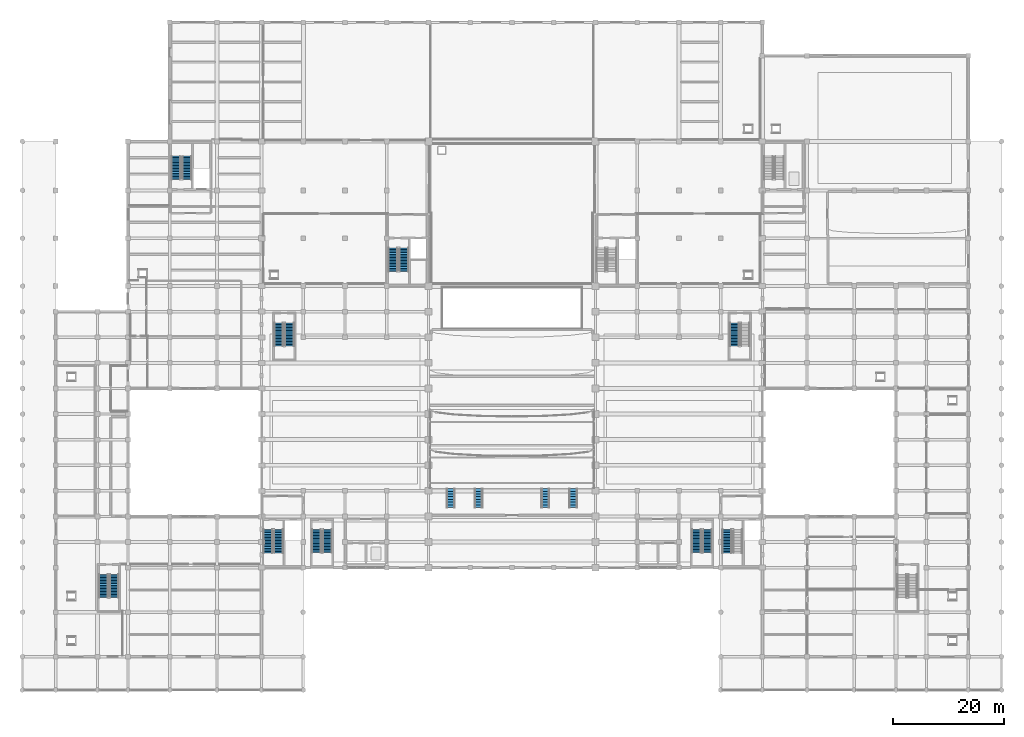
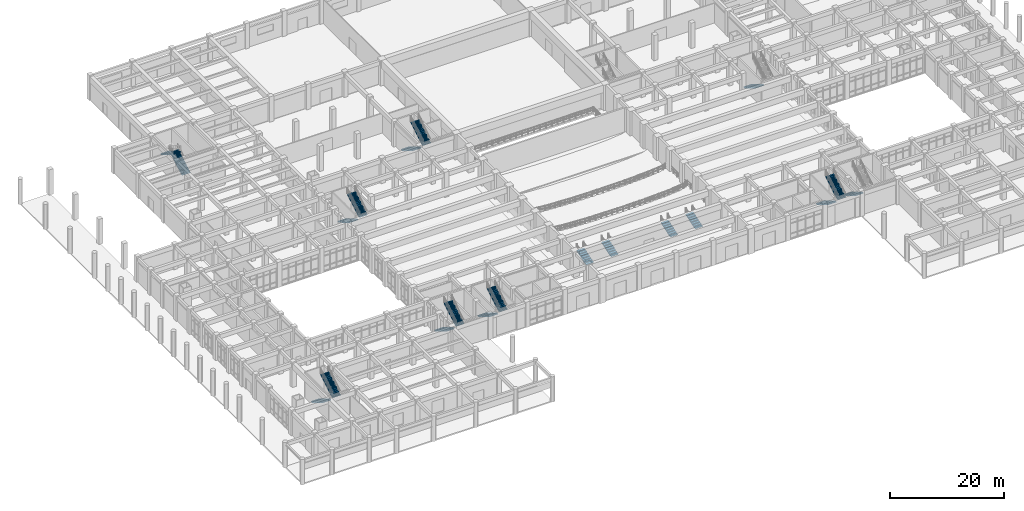
# One storey, part 71 of 84: 20 stair flights, 13 elements without a shape of their own.
"""IFC4 building model written with IfcOpenShell, lengths in metres."""

from ifc_helpers import new_model, si_unit, direction, frame, origin, place, context, subcontext, project, spatial, polyline, outline, extrude, material, type_object, element, aggregate, save


model = new_model("IFC4")

# Units and contexts
model_context = context("Model", 3, precision=1e-05, world=origin(), true_north=direction((0.0, 1.0)))
body_context = subcontext(model_context, "Body", "Model", "MODEL_VIEW")
ifc_project = project(units=[si_unit("LENGTHUNIT", "METRE"), si_unit("AREAUNIT", "SQUARE_METRE"), si_unit("VOLUMEUNIT", "CUBIC_METRE"), si_unit("PLANEANGLEUNIT", "RADIAN"), si_unit("MASSUNIT", "GRAM", prefix="KILO")], contexts=[model_context])

# Site, building, storey
site_placement = place(None, origin())
site = spatial("IfcSite", under=ifc_project, at=site_placement, CompositionType="ELEMENT")
building_placement = place(site_placement, origin())
building = spatial("IfcBuilding", under=site, at=building_placement, Name="Muzn Square Opera House", CompositionType="ELEMENT")
storey_placement = place(building_placement, origin())
storey = spatial("IfcBuildingStorey", under=building, at=storey_placement, Name="L00", CompositionType="ELEMENT", Elevation=0.0)

# Stair, stair flights
ifc_material = material(Name="Concrete C40/50", Category="concrete")
stair_type_1 = type_object("IfcStairType", Name="Core Escape Dogleg Stair", PredefinedType="HALF_TURN_STAIR", material=ifc_material)
stair_1_placement = place(storey_placement, origin())
stair_1 = element("IfcStair", 1, at=stair_1_placement, inside=storey, type_object=stair_type_1, Name="L00 Escape Stair ST-1", PredefinedType="HALF_TURN_STAIR")
stair_flight_type_1 = type_object("IfcStairFlightType", Name="Core Stair Flight 1660mm", PredefinedType="STRAIGHT", material=ifc_material)
stair_flight_1_placement = place(storey_placement, frame((66.6298828125, 79.43994140625, 0.0), z_axis=(0.0, 0.0, 1.0), x_axis=(0.0, -1.0, 0.0)))
stair_flight_1 = element("IfcStairFlight", 2, at=stair_flight_1_placement, type_object=stair_flight_type_1, Name="ST-1 flight 1", NumberOfRisers=16, NumberOfTreads=15, PredefinedType="STRAIGHT", RiserHeight=0.16875, TreadLength=0.28, context=body_context, shape_type="SweptSolid", body=[
    extrude(outline(polyline([(0.0, 0.0), (0.0, 0.168701171875), (0.280029296875, 0.168701171875), (0.280029296875, 0.33740234375), (0.56005859375, 0.33740234375), (0.56005859375, 0.50634765625), (0.840087890625, 0.50634765625), (0.840087890625, 0.675048828125), (1.1201171875, 0.675048828125), (1.1201171875, 0.84375), (1.39990234375, 0.84375), (1.39990234375, 1.012451171875), (1.679931640625, 1.012451171875), (1.679931640625, 1.18115234375), (1.9599609375, 1.18115234375), (1.9599609375, 1.35009765625), (2.239990234375, 1.35009765625), (2.239990234375, 1.518798828125), (2.52001953125, 1.518798828125), (2.52001953125, 1.6875), (2.800048828125, 1.6875), (2.800048828125, 1.856201171875), (3.080078125, 1.856201171875), (3.080078125, 2.02490234375), (3.360107421875, 2.02490234375), (3.360107421875, 2.19384765625), (3.639892578125, 2.19384765625), (3.639892578125, 2.362548828125), (3.919921875, 2.362548828125), (3.919921875, 2.53125), (4.199951171875, 2.53125), (4.199951171875, 2.699951171875), (4.199951171875, 2.3212890625), (0.3486328125, 0.0), (0.0, 0.0)])), frame((0.0, 0.830078125, 0.0), z_axis=(0.0, -1.0, 0.0), x_axis=(1.0, 0.0, 0.0)), (0.0, 0.0, 1.0), 1.659912109375),
])
stair_flight_2_placement = place(storey_placement, frame((68.570068359375, 75.239990234375, 2.699951171875), z_axis=(0.0, 0.0, 1.0), x_axis=(0.0, 1.0, 0.0)))
stair_flight_2 = element("IfcStairFlight", 3, at=stair_flight_2_placement, type_object=stair_flight_type_1, Name="ST-1 flight 2", NumberOfRisers=16, NumberOfTreads=15, PredefinedType="STRAIGHT", RiserHeight=0.16875, TreadLength=0.28, context=body_context, shape_type="SweptSolid", body=[
    extrude(outline(polyline([(0.0, 0.0), (0.0, 0.168701171875), (0.280029296875, 0.168701171875), (0.280029296875, 0.33740234375), (0.56005859375, 0.33740234375), (0.56005859375, 0.50634765625), (0.840087890625, 0.50634765625), (0.840087890625, 0.675048828125), (1.1201171875, 0.675048828125), (1.1201171875, 0.84375), (1.39990234375, 0.84375), (1.39990234375, 1.012451171875), (1.679931640625, 1.012451171875), (1.679931640625, 1.18115234375), (1.9599609375, 1.18115234375), (1.9599609375, 1.35009765625), (2.239990234375, 1.35009765625), (2.239990234375, 1.518798828125), (2.52001953125, 1.518798828125), (2.52001953125, 1.6875), (2.800048828125, 1.6875), (2.800048828125, 1.856201171875), (3.080078125, 1.856201171875), (3.080078125, 2.02490234375), (3.360107421875, 2.02490234375), (3.360107421875, 2.19384765625), (3.639892578125, 2.19384765625), (3.639892578125, 2.362548828125), (3.919921875, 2.362548828125), (3.919921875, 2.53125), (4.199951171875, 2.53125), (4.199951171875, 2.699951171875), (4.199951171875, 2.3212890625), (0.3486328125, 0.0), (0.0, 0.0)])), frame((0.0, 0.830078125, 0.0), z_axis=(0.0, -1.0, 0.0), x_axis=(1.0, 0.0, 0.0)), (0.0, 0.0, 1.0), 1.659912109375),
])
aggregate(stair_1, [stair_flight_1, stair_flight_2])

stair_2_placement = place(storey_placement, origin())
stair_2 = element("IfcStair", 4, at=stair_2_placement, inside=storey, type_object=stair_type_1, Name="L00 Escape Stair ST-3", PredefinedType="HALF_TURN_STAIR")
stair_flight_3_placement = place(storey_placement, frame((44.1298828125, 28.840087890625, 0.0), z_axis=(0.0, 0.0, 1.0), x_axis=(0.0, -1.0, 0.0)))
stair_flight_3 = element("IfcStairFlight", 5, at=stair_flight_3_placement, type_object=stair_flight_type_1, Name="ST-3 flight 1", NumberOfRisers=16, NumberOfTreads=15, PredefinedType="STRAIGHT", RiserHeight=0.16875, TreadLength=0.28, context=body_context, shape_type="SweptSolid", body=[
    extrude(outline(polyline([(0.0, 0.0), (0.0, 0.168701171875), (0.280029296875, 0.168701171875), (0.280029296875, 0.33740234375), (0.56005859375, 0.33740234375), (0.56005859375, 0.50634765625), (0.840087890625, 0.50634765625), (0.840087890625, 0.675048828125), (1.1201171875, 0.675048828125), (1.1201171875, 0.84375), (1.39990234375, 0.84375), (1.39990234375, 1.012451171875), (1.679931640625, 1.012451171875), (1.679931640625, 1.18115234375), (1.9599609375, 1.18115234375), (1.9599609375, 1.35009765625), (2.239990234375, 1.35009765625), (2.239990234375, 1.518798828125), (2.52001953125, 1.518798828125), (2.52001953125, 1.6875), (2.800048828125, 1.6875), (2.800048828125, 1.856201171875), (3.080078125, 1.856201171875), (3.080078125, 2.02490234375), (3.360107421875, 2.02490234375), (3.360107421875, 2.19384765625), (3.639892578125, 2.19384765625), (3.639892578125, 2.362548828125), (3.919921875, 2.362548828125), (3.919921875, 2.53125), (4.199951171875, 2.53125), (4.199951171875, 2.699951171875), (4.199951171875, 2.3212890625), (0.3486328125, 0.0), (0.0, 0.0)])), frame((0.0, 0.830078125, 0.0), z_axis=(0.0, -1.0, 0.0), x_axis=(1.0, 0.0, 0.0)), (0.0, 0.0, 1.0), 1.659912109375),
])
stair_flight_4_placement = place(storey_placement, frame((46.070068359375, 24.639892578125, 2.699951171875), z_axis=(0.0, 0.0, 1.0), x_axis=(0.0, 1.0, 0.0)))
stair_flight_4 = element("IfcStairFlight", 6, at=stair_flight_4_placement, type_object=stair_flight_type_1, Name="ST-3 flight 2", NumberOfRisers=16, NumberOfTreads=15, PredefinedType="STRAIGHT", RiserHeight=0.16875, TreadLength=0.28, context=body_context, shape_type="SweptSolid", body=[
    extrude(outline(polyline([(0.0, 0.0), (0.0, 0.168701171875), (0.280029296875, 0.168701171875), (0.280029296875, 0.33740234375), (0.56005859375, 0.33740234375), (0.56005859375, 0.50634765625), (0.840087890625, 0.50634765625), (0.840087890625, 0.675048828125), (1.1201171875, 0.675048828125), (1.1201171875, 0.84375), (1.39990234375, 0.84375), (1.39990234375, 1.012451171875), (1.679931640625, 1.012451171875), (1.679931640625, 1.18115234375), (1.9599609375, 1.18115234375), (1.9599609375, 1.35009765625), (2.239990234375, 1.35009765625), (2.239990234375, 1.518798828125), (2.52001953125, 1.518798828125), (2.52001953125, 1.6875), (2.800048828125, 1.6875), (2.800048828125, 1.856201171875), (3.080078125, 1.856201171875), (3.080078125, 2.02490234375), (3.360107421875, 2.02490234375), (3.360107421875, 2.19384765625), (3.639892578125, 2.19384765625), (3.639892578125, 2.362548828125), (3.919921875, 2.362548828125), (3.919921875, 2.53125), (4.199951171875, 2.53125), (4.199951171875, 2.699951171875), (4.199951171875, 2.3212890625), (0.3486328125, 0.0), (0.0, 0.0)])), frame((0.0, 0.830078125, 0.0), z_axis=(0.0, -1.0, 0.0), x_axis=(1.0, 0.0, 0.0)), (0.0, 0.0, 1.0), 1.659912109375),
])
aggregate(stair_2, [stair_flight_3, stair_flight_4])

# Stair, stair flight
stair_3_placement = place(storey_placement, origin())
stair_3 = element("IfcStair", 7, at=stair_3_placement, inside=storey, type_object=stair_type_1, Name="L00 Escape Stair ST-4", PredefinedType="HALF_TURN_STAIR")
stair_flight_5_placement = place(storey_placement, frame((126.6298828125, 28.840087890625, 0.0), z_axis=(0.0, 0.0, 1.0), x_axis=(0.0, -1.0, 0.0)))
stair_flight_5 = element("IfcStairFlight", 8, at=stair_flight_5_placement, type_object=stair_flight_type_1, Name="ST-4 flight 1", NumberOfRisers=16, NumberOfTreads=15, PredefinedType="STRAIGHT", RiserHeight=0.16875, TreadLength=0.28, context=body_context, shape_type="SweptSolid", body=[
    extrude(outline(polyline([(0.0, 0.0), (0.0, 0.168701171875), (0.280029296875, 0.168701171875), (0.280029296875, 0.33740234375), (0.56005859375, 0.33740234375), (0.56005859375, 0.50634765625), (0.840087890625, 0.50634765625), (0.840087890625, 0.675048828125), (1.1201171875, 0.675048828125), (1.1201171875, 0.84375), (1.39990234375, 0.84375), (1.39990234375, 1.012451171875), (1.679931640625, 1.012451171875), (1.679931640625, 1.18115234375), (1.9599609375, 1.18115234375), (1.9599609375, 1.35009765625), (2.239990234375, 1.35009765625), (2.239990234375, 1.518798828125), (2.52001953125, 1.518798828125), (2.52001953125, 1.6875), (2.800048828125, 1.6875), (2.800048828125, 1.856201171875), (3.080078125, 1.856201171875), (3.080078125, 2.02490234375), (3.360107421875, 2.02490234375), (3.360107421875, 2.19384765625), (3.639892578125, 2.19384765625), (3.639892578125, 2.362548828125), (3.919921875, 2.362548828125), (3.919921875, 2.53125), (4.199951171875, 2.53125), (4.199951171875, 2.699951171875), (4.199951171875, 2.3212890625), (0.3486328125, 0.0), (0.0, 0.0)])), frame((0.0, 0.830078125, 0.0), z_axis=(0.0, -1.0, 0.0), x_axis=(1.0, 0.0, 0.0)), (0.0, 0.0, 1.0), 1.659912109375),
])
aggregate(stair_3, [stair_flight_5])

# Stair, stair flights
stair_4_placement = place(storey_placement, origin())
stair_4 = element("IfcStair", 9, at=stair_4_placement, inside=storey, type_object=stair_type_1, Name="L00 Escape Stair ST-6", PredefinedType="HALF_TURN_STAIR")
stair_flight_6_placement = place(storey_placement, frame((29.570068359375, 91.760009765625, 0.0), z_axis=(0.0, 0.0, 1.0), x_axis=(0.0, 1.0, 0.0)))
stair_flight_6 = element("IfcStairFlight", 10, at=stair_flight_6_placement, type_object=stair_flight_type_1, Name="ST-6 flight 1", NumberOfRisers=16, NumberOfTreads=15, PredefinedType="STRAIGHT", RiserHeight=0.16875, TreadLength=0.28, context=body_context, shape_type="SweptSolid", body=[
    extrude(outline(polyline([(0.0, 0.0), (0.0, 0.168701171875), (0.280029296875, 0.168701171875), (0.280029296875, 0.33740234375), (0.56005859375, 0.33740234375), (0.56005859375, 0.50634765625), (0.840087890625, 0.50634765625), (0.840087890625, 0.675048828125), (1.1201171875, 0.675048828125), (1.1201171875, 0.84375), (1.39990234375, 0.84375), (1.39990234375, 1.012451171875), (1.679931640625, 1.012451171875), (1.679931640625, 1.18115234375), (1.9599609375, 1.18115234375), (1.9599609375, 1.35009765625), (2.239990234375, 1.35009765625), (2.239990234375, 1.518798828125), (2.52001953125, 1.518798828125), (2.52001953125, 1.6875), (2.800048828125, 1.6875), (2.800048828125, 1.856201171875), (3.080078125, 1.856201171875), (3.080078125, 2.02490234375), (3.360107421875, 2.02490234375), (3.360107421875, 2.19384765625), (3.639892578125, 2.19384765625), (3.639892578125, 2.362548828125), (3.919921875, 2.362548828125), (3.919921875, 2.53125), (4.199951171875, 2.53125), (4.199951171875, 2.699951171875), (4.199951171875, 2.3212890625), (0.3486328125, 0.0), (0.0, 0.0)])), frame((0.0, 0.830078125, 0.0), z_axis=(0.0, -1.0, 0.0), x_axis=(1.0, 0.0, 0.0)), (0.0, 0.0, 1.0), 1.659912109375),
])
stair_flight_7_placement = place(storey_placement, frame((27.6298828125, 95.9599609375, 2.699951171875), z_axis=(0.0, 0.0, 1.0), x_axis=(0.0, -1.0, 0.0)))
stair_flight_7 = element("IfcStairFlight", 11, at=stair_flight_7_placement, type_object=stair_flight_type_1, Name="ST-6 flight 2", NumberOfRisers=16, NumberOfTreads=15, PredefinedType="STRAIGHT", RiserHeight=0.16875, TreadLength=0.28, context=body_context, shape_type="SweptSolid", body=[
    extrude(outline(polyline([(0.0, 0.0), (0.0, 0.168701171875), (0.280029296875, 0.168701171875), (0.280029296875, 0.33740234375), (0.56005859375, 0.33740234375), (0.56005859375, 0.50634765625), (0.840087890625, 0.50634765625), (0.840087890625, 0.675048828125), (1.1201171875, 0.675048828125), (1.1201171875, 0.84375), (1.39990234375, 0.84375), (1.39990234375, 1.012451171875), (1.679931640625, 1.012451171875), (1.679931640625, 1.18115234375), (1.9599609375, 1.18115234375), (1.9599609375, 1.35009765625), (2.239990234375, 1.35009765625), (2.239990234375, 1.518798828125), (2.52001953125, 1.518798828125), (2.52001953125, 1.6875), (2.800048828125, 1.6875), (2.800048828125, 1.856201171875), (3.080078125, 1.856201171875), (3.080078125, 2.02490234375), (3.360107421875, 2.02490234375), (3.360107421875, 2.19384765625), (3.639892578125, 2.19384765625), (3.639892578125, 2.362548828125), (3.919921875, 2.362548828125), (3.919921875, 2.53125), (4.199951171875, 2.53125), (4.199951171875, 2.699951171875), (4.199951171875, 2.3212890625), (0.3486328125, 0.0), (0.0, 0.0)])), frame((0.0, 0.830078125, 0.0), z_axis=(0.0, -1.0, 0.0), x_axis=(1.0, 0.0, 0.0)), (0.0, 0.0, 1.0), 1.659912109375),
])
aggregate(stair_4, [stair_flight_6, stair_flight_7])

stair_5_placement = place(storey_placement, origin())
stair_5 = element("IfcStair", 12, at=stair_5_placement, inside=storey, type_object=stair_type_1, Name="L00 Escape Stair ST-7", PredefinedType="HALF_TURN_STAIR")
stair_flight_8_placement = place(storey_placement, frame((14.580078125, 20.7900390625, 0.0), z_axis=(0.0, 0.0, 1.0), x_axis=(0.0, -1.0, 0.0)))
stair_flight_8 = element("IfcStairFlight", 13, at=stair_flight_8_placement, type_object=stair_flight_type_1, Name="ST-7 flight 1", NumberOfRisers=16, NumberOfTreads=15, PredefinedType="STRAIGHT", RiserHeight=0.16875, TreadLength=0.28, context=body_context, shape_type="SweptSolid", body=[
    extrude(outline(polyline([(0.0, 0.0), (0.0, 0.168701171875), (0.280029296875, 0.168701171875), (0.280029296875, 0.33740234375), (0.56005859375, 0.33740234375), (0.56005859375, 0.50634765625), (0.840087890625, 0.50634765625), (0.840087890625, 0.675048828125), (1.1201171875, 0.675048828125), (1.1201171875, 0.84375), (1.39990234375, 0.84375), (1.39990234375, 1.012451171875), (1.679931640625, 1.012451171875), (1.679931640625, 1.18115234375), (1.9599609375, 1.18115234375), (1.9599609375, 1.35009765625), (2.239990234375, 1.35009765625), (2.239990234375, 1.518798828125), (2.52001953125, 1.518798828125), (2.52001953125, 1.6875), (2.800048828125, 1.6875), (2.800048828125, 1.856201171875), (3.080078125, 1.856201171875), (3.080078125, 2.02490234375), (3.360107421875, 2.02490234375), (3.360107421875, 2.19384765625), (3.639892578125, 2.19384765625), (3.639892578125, 2.362548828125), (3.919921875, 2.362548828125), (3.919921875, 2.53125), (4.199951171875, 2.53125), (4.199951171875, 2.699951171875), (4.199951171875, 2.3212890625), (0.3486328125, 0.0), (0.0, 0.0)])), frame((0.0, 0.830078125, 0.0), z_axis=(0.0, -1.0, 0.0), x_axis=(1.0, 0.0, 0.0)), (0.0, 0.0, 1.0), 1.659912109375),
])
stair_flight_9_placement = place(storey_placement, frame((16.52001953125, 16.590087890625, 2.699951171875), z_axis=(0.0, 0.0, 1.0), x_axis=(0.0, 1.0, 0.0)))
stair_flight_9 = element("IfcStairFlight", 14, at=stair_flight_9_placement, type_object=stair_flight_type_1, Name="ST-7 flight 2", NumberOfRisers=16, NumberOfTreads=15, PredefinedType="STRAIGHT", RiserHeight=0.16875, TreadLength=0.28, context=body_context, shape_type="SweptSolid", body=[
    extrude(outline(polyline([(0.0, 0.0), (0.0, 0.168701171875), (0.280029296875, 0.168701171875), (0.280029296875, 0.33740234375), (0.56005859375, 0.33740234375), (0.56005859375, 0.50634765625), (0.840087890625, 0.50634765625), (0.840087890625, 0.675048828125), (1.1201171875, 0.675048828125), (1.1201171875, 0.84375), (1.39990234375, 0.84375), (1.39990234375, 1.012451171875), (1.679931640625, 1.012451171875), (1.679931640625, 1.18115234375), (1.9599609375, 1.18115234375), (1.9599609375, 1.35009765625), (2.239990234375, 1.35009765625), (2.239990234375, 1.518798828125), (2.52001953125, 1.518798828125), (2.52001953125, 1.6875), (2.800048828125, 1.6875), (2.800048828125, 1.856201171875), (3.080078125, 1.856201171875), (3.080078125, 2.02490234375), (3.360107421875, 2.02490234375), (3.360107421875, 2.19384765625), (3.639892578125, 2.19384765625), (3.639892578125, 2.362548828125), (3.919921875, 2.362548828125), (3.919921875, 2.53125), (4.199951171875, 2.53125), (4.199951171875, 2.699951171875), (4.199951171875, 2.3212890625), (0.3486328125, 0.0), (0.0, 0.0)])), frame((0.0, 0.830078125, 0.0), z_axis=(0.0, -1.0, 0.0), x_axis=(1.0, 0.0, 0.0)), (0.0, 0.0, 1.0), 1.659912109375),
])
aggregate(stair_5, [stair_flight_8, stair_flight_9])

stair_6_placement = place(storey_placement, origin())
stair_6 = element("IfcStair", 15, at=stair_6_placement, inside=storey, type_object=stair_type_1, Name="L00 Escape Stair ST-9", PredefinedType="HALF_TURN_STAIR")
stair_flight_10_placement = place(storey_placement, frame((46.080078125, 65.989990234375, 0.0), z_axis=(0.0, 0.0, 1.0), x_axis=(0.0, -1.0, 0.0)))
stair_flight_10 = element("IfcStairFlight", 16, at=stair_flight_10_placement, type_object=stair_flight_type_1, Name="ST-9 flight 1", NumberOfRisers=16, NumberOfTreads=15, PredefinedType="STRAIGHT", RiserHeight=0.16875, TreadLength=0.28, context=body_context, shape_type="SweptSolid", body=[
    extrude(outline(polyline([(0.0, 0.0), (0.0, 0.168701171875), (0.280029296875, 0.168701171875), (0.280029296875, 0.33740234375), (0.56005859375, 0.33740234375), (0.56005859375, 0.50634765625), (0.840087890625, 0.50634765625), (0.840087890625, 0.675048828125), (1.1201171875, 0.675048828125), (1.1201171875, 0.84375), (1.39990234375, 0.84375), (1.39990234375, 1.012451171875), (1.679931640625, 1.012451171875), (1.679931640625, 1.18115234375), (1.9599609375, 1.18115234375), (1.9599609375, 1.35009765625), (2.239990234375, 1.35009765625), (2.239990234375, 1.518798828125), (2.52001953125, 1.518798828125), (2.52001953125, 1.6875), (2.800048828125, 1.6875), (2.800048828125, 1.856201171875), (3.080078125, 1.856201171875), (3.080078125, 2.02490234375), (3.360107421875, 2.02490234375), (3.360107421875, 2.19384765625), (3.639892578125, 2.19384765625), (3.639892578125, 2.362548828125), (3.919921875, 2.362548828125), (3.919921875, 2.53125), (4.199951171875, 2.53125), (4.199951171875, 2.699951171875), (4.199951171875, 2.3212890625), (0.3486328125, 0.0), (0.0, 0.0)])), frame((0.0, 0.830078125, 0.0), z_axis=(0.0, -1.0, 0.0), x_axis=(1.0, 0.0, 0.0)), (0.0, 0.0, 1.0), 1.659912109375),
])
stair_flight_11_placement = place(storey_placement, frame((48.02001953125, 61.7900390625, 2.699951171875), z_axis=(0.0, 0.0, 1.0), x_axis=(0.0, 1.0, 0.0)))
stair_flight_11 = element("IfcStairFlight", 17, at=stair_flight_11_placement, type_object=stair_flight_type_1, Name="ST-9 flight 2", NumberOfRisers=16, NumberOfTreads=15, PredefinedType="STRAIGHT", RiserHeight=0.16875, TreadLength=0.28, context=body_context, shape_type="SweptSolid", body=[
    extrude(outline(polyline([(0.0, 0.0), (0.0, 0.168701171875), (0.280029296875, 0.168701171875), (0.280029296875, 0.33740234375), (0.56005859375, 0.33740234375), (0.56005859375, 0.50634765625), (0.840087890625, 0.50634765625), (0.840087890625, 0.675048828125), (1.1201171875, 0.675048828125), (1.1201171875, 0.84375), (1.39990234375, 0.84375), (1.39990234375, 1.012451171875), (1.679931640625, 1.012451171875), (1.679931640625, 1.18115234375), (1.9599609375, 1.18115234375), (1.9599609375, 1.35009765625), (2.239990234375, 1.35009765625), (2.239990234375, 1.518798828125), (2.52001953125, 1.518798828125), (2.52001953125, 1.6875), (2.800048828125, 1.6875), (2.800048828125, 1.856201171875), (3.080078125, 1.856201171875), (3.080078125, 2.02490234375), (3.360107421875, 2.02490234375), (3.360107421875, 2.19384765625), (3.639892578125, 2.19384765625), (3.639892578125, 2.362548828125), (3.919921875, 2.362548828125), (3.919921875, 2.53125), (4.199951171875, 2.53125), (4.199951171875, 2.699951171875), (4.199951171875, 2.3212890625), (0.3486328125, 0.0), (0.0, 0.0)])), frame((0.0, 0.830078125, 0.0), z_axis=(0.0, -1.0, 0.0), x_axis=(1.0, 0.0, 0.0)), (0.0, 0.0, 1.0), 1.659912109375),
])
aggregate(stair_6, [stair_flight_10, stair_flight_11])

# Stair, stair flight
stair_7_placement = place(storey_placement, origin())
stair_7 = element("IfcStair", 18, at=stair_7_placement, inside=storey, type_object=stair_type_1, Name="L00 Escape Stair ST-10", PredefinedType="HALF_TURN_STAIR")
stair_flight_12_placement = place(storey_placement, frame((127.97998046875, 65.989990234375, 0.0), z_axis=(0.0, 0.0, 1.0), x_axis=(0.0, -1.0, 0.0)))
stair_flight_12 = element("IfcStairFlight", 19, at=stair_flight_12_placement, type_object=stair_flight_type_1, Name="ST-10 flight 1", NumberOfRisers=16, NumberOfTreads=15, PredefinedType="STRAIGHT", RiserHeight=0.16875, TreadLength=0.28, context=body_context, shape_type="SweptSolid", body=[
    extrude(outline(polyline([(0.0, 0.0), (0.0, 0.168701171875), (0.280029296875, 0.168701171875), (0.280029296875, 0.33740234375), (0.56005859375, 0.33740234375), (0.56005859375, 0.50634765625), (0.840087890625, 0.50634765625), (0.840087890625, 0.675048828125), (1.1201171875, 0.675048828125), (1.1201171875, 0.84375), (1.39990234375, 0.84375), (1.39990234375, 1.012451171875), (1.679931640625, 1.012451171875), (1.679931640625, 1.18115234375), (1.9599609375, 1.18115234375), (1.9599609375, 1.35009765625), (2.239990234375, 1.35009765625), (2.239990234375, 1.518798828125), (2.52001953125, 1.518798828125), (2.52001953125, 1.6875), (2.800048828125, 1.6875), (2.800048828125, 1.856201171875), (3.080078125, 1.856201171875), (3.080078125, 2.02490234375), (3.360107421875, 2.02490234375), (3.360107421875, 2.19384765625), (3.639892578125, 2.19384765625), (3.639892578125, 2.362548828125), (3.919921875, 2.362548828125), (3.919921875, 2.53125), (4.199951171875, 2.53125), (4.199951171875, 2.699951171875), (4.199951171875, 2.3212890625), (0.3486328125, 0.0), (0.0, 0.0)])), frame((0.0, 0.830078125, 0.0), z_axis=(0.0, -1.0, 0.0), x_axis=(1.0, 0.0, 0.0)), (0.0, 0.0, 1.0), 1.659912109375),
])
aggregate(stair_7, [stair_flight_12])

# Stair, stair flights
stair_8_placement = place(storey_placement, origin())
stair_8 = element("IfcStair", 20, at=stair_8_placement, inside=storey, type_object=stair_type_1, Name="L00 Escape Stair ST-11", PredefinedType="HALF_TURN_STAIR")
stair_flight_13_placement = place(storey_placement, frame((52.8798828125, 28.889892578125, 0.0), z_axis=(0.0, 0.0, 1.0), x_axis=(0.0, -1.0, 0.0)))
stair_flight_13 = element("IfcStairFlight", 21, at=stair_flight_13_placement, type_object=stair_flight_type_1, Name="ST-11 flight 1", NumberOfRisers=16, NumberOfTreads=15, PredefinedType="STRAIGHT", RiserHeight=0.16875, TreadLength=0.28, context=body_context, shape_type="SweptSolid", body=[
    extrude(outline(polyline([(0.0, 0.0), (0.0, 0.168701171875), (0.280029296875, 0.168701171875), (0.280029296875, 0.33740234375), (0.56005859375, 0.33740234375), (0.56005859375, 0.50634765625), (0.840087890625, 0.50634765625), (0.840087890625, 0.675048828125), (1.1201171875, 0.675048828125), (1.1201171875, 0.84375), (1.39990234375, 0.84375), (1.39990234375, 1.012451171875), (1.679931640625, 1.012451171875), (1.679931640625, 1.18115234375), (1.9599609375, 1.18115234375), (1.9599609375, 1.35009765625), (2.239990234375, 1.35009765625), (2.239990234375, 1.518798828125), (2.52001953125, 1.518798828125), (2.52001953125, 1.6875), (2.800048828125, 1.6875), (2.800048828125, 1.856201171875), (3.080078125, 1.856201171875), (3.080078125, 2.02490234375), (3.360107421875, 2.02490234375), (3.360107421875, 2.19384765625), (3.639892578125, 2.19384765625), (3.639892578125, 2.362548828125), (3.919921875, 2.362548828125), (3.919921875, 2.53125), (4.199951171875, 2.53125), (4.199951171875, 2.699951171875), (4.199951171875, 2.3212890625), (0.3486328125, 0.0), (0.0, 0.0)])), frame((0.0, 0.830078125, 0.0), z_axis=(0.0, -1.0, 0.0), x_axis=(1.0, 0.0, 0.0)), (0.0, 0.0, 1.0), 1.659912109375),
])
stair_flight_14_placement = place(storey_placement, frame((54.820068359375, 24.68994140625, 2.699951171875), z_axis=(0.0, 0.0, 1.0), x_axis=(0.0, 1.0, 0.0)))
stair_flight_14 = element("IfcStairFlight", 22, at=stair_flight_14_placement, type_object=stair_flight_type_1, Name="ST-11 flight 2", NumberOfRisers=16, NumberOfTreads=15, PredefinedType="STRAIGHT", RiserHeight=0.16875, TreadLength=0.28, context=body_context, shape_type="SweptSolid", body=[
    extrude(outline(polyline([(0.0, 0.0), (0.0, 0.168701171875), (0.280029296875, 0.168701171875), (0.280029296875, 0.33740234375), (0.56005859375, 0.33740234375), (0.56005859375, 0.50634765625), (0.840087890625, 0.50634765625), (0.840087890625, 0.675048828125), (1.1201171875, 0.675048828125), (1.1201171875, 0.84375), (1.39990234375, 0.84375), (1.39990234375, 1.012451171875), (1.679931640625, 1.012451171875), (1.679931640625, 1.18115234375), (1.9599609375, 1.18115234375), (1.9599609375, 1.35009765625), (2.239990234375, 1.35009765625), (2.239990234375, 1.518798828125), (2.52001953125, 1.518798828125), (2.52001953125, 1.6875), (2.800048828125, 1.6875), (2.800048828125, 1.856201171875), (3.080078125, 1.856201171875), (3.080078125, 2.02490234375), (3.360107421875, 2.02490234375), (3.360107421875, 2.19384765625), (3.639892578125, 2.19384765625), (3.639892578125, 2.362548828125), (3.919921875, 2.362548828125), (3.919921875, 2.53125), (4.199951171875, 2.53125), (4.199951171875, 2.699951171875), (4.199951171875, 2.3212890625), (0.3486328125, 0.0), (0.0, 0.0)])), frame((0.0, 0.830078125, 0.0), z_axis=(0.0, -1.0, 0.0), x_axis=(1.0, 0.0, 0.0)), (0.0, 0.0, 1.0), 1.659912109375),
])
aggregate(stair_8, [stair_flight_13, stair_flight_14])

stair_9_placement = place(storey_placement, origin())
stair_9 = element("IfcStair", 23, at=stair_9_placement, inside=storey, type_object=stair_type_1, Name="L00 Escape Stair ST-12", PredefinedType="HALF_TURN_STAIR")
stair_flight_15_placement = place(storey_placement, frame((121.179931640625, 28.889892578125, 0.0), z_axis=(0.0, 0.0, 1.0), x_axis=(0.0, -1.0, 0.0)))
stair_flight_15 = element("IfcStairFlight", 24, at=stair_flight_15_placement, type_object=stair_flight_type_1, Name="ST-12 flight 1", NumberOfRisers=16, NumberOfTreads=15, PredefinedType="STRAIGHT", RiserHeight=0.16875, TreadLength=0.28, context=body_context, shape_type="SweptSolid", body=[
    extrude(outline(polyline([(0.0, 0.0), (0.0, 0.168701171875), (0.280029296875, 0.168701171875), (0.280029296875, 0.33740234375), (0.56005859375, 0.33740234375), (0.56005859375, 0.50634765625), (0.840087890625, 0.50634765625), (0.840087890625, 0.675048828125), (1.1201171875, 0.675048828125), (1.1201171875, 0.84375), (1.39990234375, 0.84375), (1.39990234375, 1.012451171875), (1.679931640625, 1.012451171875), (1.679931640625, 1.18115234375), (1.9599609375, 1.18115234375), (1.9599609375, 1.35009765625), (2.239990234375, 1.35009765625), (2.239990234375, 1.518798828125), (2.52001953125, 1.518798828125), (2.52001953125, 1.6875), (2.800048828125, 1.6875), (2.800048828125, 1.856201171875), (3.080078125, 1.856201171875), (3.080078125, 2.02490234375), (3.360107421875, 2.02490234375), (3.360107421875, 2.19384765625), (3.639892578125, 2.19384765625), (3.639892578125, 2.362548828125), (3.919921875, 2.362548828125), (3.919921875, 2.53125), (4.199951171875, 2.53125), (4.199951171875, 2.699951171875), (4.199951171875, 2.3212890625), (0.3486328125, 0.0), (0.0, 0.0)])), frame((0.0, 0.830078125, 0.0), z_axis=(0.0, -1.0, 0.0), x_axis=(1.0, 0.0, 0.0)), (0.0, 0.0, 1.0), 1.659912109375),
])
stair_flight_16_placement = place(storey_placement, frame((123.1201171875, 24.68994140625, 2.699951171875), z_axis=(0.0, 0.0, 1.0), x_axis=(0.0, 1.0, 0.0)))
stair_flight_16 = element("IfcStairFlight", 25, at=stair_flight_16_placement, type_object=stair_flight_type_1, Name="ST-12 flight 2", NumberOfRisers=16, NumberOfTreads=15, PredefinedType="STRAIGHT", RiserHeight=0.16875, TreadLength=0.28, context=body_context, shape_type="SweptSolid", body=[
    extrude(outline(polyline([(0.0, 0.0), (0.0, 0.168701171875), (0.280029296875, 0.168701171875), (0.280029296875, 0.33740234375), (0.56005859375, 0.33740234375), (0.56005859375, 0.50634765625), (0.840087890625, 0.50634765625), (0.840087890625, 0.675048828125), (1.1201171875, 0.675048828125), (1.1201171875, 0.84375), (1.39990234375, 0.84375), (1.39990234375, 1.012451171875), (1.679931640625, 1.012451171875), (1.679931640625, 1.18115234375), (1.9599609375, 1.18115234375), (1.9599609375, 1.35009765625), (2.239990234375, 1.35009765625), (2.239990234375, 1.518798828125), (2.52001953125, 1.518798828125), (2.52001953125, 1.6875), (2.800048828125, 1.6875), (2.800048828125, 1.856201171875), (3.080078125, 1.856201171875), (3.080078125, 2.02490234375), (3.360107421875, 2.02490234375), (3.360107421875, 2.19384765625), (3.639892578125, 2.19384765625), (3.639892578125, 2.362548828125), (3.919921875, 2.362548828125), (3.919921875, 2.53125), (4.199951171875, 2.53125), (4.199951171875, 2.699951171875), (4.199951171875, 2.3212890625), (0.3486328125, 0.0), (0.0, 0.0)])), frame((0.0, 0.830078125, 0.0), z_axis=(0.0, -1.0, 0.0), x_axis=(1.0, 0.0, 0.0)), (0.0, 0.0, 1.0), 1.659912109375),
])
aggregate(stair_9, [stair_flight_15, stair_flight_16])

# Stair, stair flight
stair_type_2 = type_object("IfcStairType", Name="Auditorium Vomitory Stair", PredefinedType="STRAIGHT_RUN_STAIR", material=ifc_material)
stair_10_placement = place(storey_placement, origin())
stair_10 = element("IfcStair", 26, at=stair_10_placement, inside=storey, type_object=stair_type_2, Name="Vomitory Stair VS-01", PredefinedType="STRAIGHT_RUN_STAIR")
stair_flight_type_2 = type_object("IfcStairFlightType", Name="Vomitory Stair Flight 1500mm", PredefinedType="STRAIGHT", material=ifc_material)
stair_flight_17_placement = place(storey_placement, frame((77.0, 32.800048828125, 0.0), z_axis=(0.0, 0.0, 1.0), x_axis=(0.0, 1.0, 0.0)))
stair_flight_17 = element("IfcStairFlight", 27, at=stair_flight_17_placement, type_object=stair_flight_type_2, Name="VS-01 flight 1", NumberOfRisers=8, NumberOfTreads=7, PredefinedType="STRAIGHT", RiserHeight=0.1625, TreadLength=0.485714, context=body_context, shape_type="SweptSolid", body=[
    extrude(outline(polyline([(0.0, 0.0), (0.0, 0.16259765625), (0.485595703125, 0.16259765625), (0.485595703125, 0.324951171875), (0.971435546875, 0.324951171875), (0.971435546875, 0.487548828125), (1.45703125, 0.487548828125), (1.45703125, 0.64990234375), (1.94287109375, 0.64990234375), (1.94287109375, 0.8125), (2.428466796875, 0.8125), (2.428466796875, 0.97509765625), (2.914306640625, 0.97509765625), (2.914306640625, 1.137451171875), (3.39990234375, 1.137451171875), (3.39990234375, 1.300048828125), (3.39990234375, 0.968994140625), (0.50390625, 0.0), (0.0, 0.0)])), frame((0.0, 0.75, 0.0), z_axis=(0.0, -1.0, 0.0), x_axis=(1.0, 0.0, 0.0)), (0.0, 0.0, 1.0), 1.5),
])
aggregate(stair_10, [stair_flight_17])

stair_11_placement = place(storey_placement, origin())
stair_11 = element("IfcStair", 28, at=stair_11_placement, inside=storey, type_object=stair_type_2, Name="Vomitory Stair VS-02", PredefinedType="STRAIGHT_RUN_STAIR")
stair_flight_18_placement = place(storey_placement, frame((82.0, 32.800048828125, 0.0), z_axis=(0.0, 0.0, 1.0), x_axis=(0.0, 1.0, 0.0)))
stair_flight_18 = element("IfcStairFlight", 29, at=stair_flight_18_placement, type_object=stair_flight_type_2, Name="VS-02 flight 1", NumberOfRisers=8, NumberOfTreads=7, PredefinedType="STRAIGHT", RiserHeight=0.1625, TreadLength=0.485714, context=body_context, shape_type="SweptSolid", body=[
    extrude(outline(polyline([(0.0, 0.0), (0.0, 0.16259765625), (0.485595703125, 0.16259765625), (0.485595703125, 0.324951171875), (0.971435546875, 0.324951171875), (0.971435546875, 0.487548828125), (1.45703125, 0.487548828125), (1.45703125, 0.64990234375), (1.94287109375, 0.64990234375), (1.94287109375, 0.8125), (2.428466796875, 0.8125), (2.428466796875, 0.97509765625), (2.914306640625, 0.97509765625), (2.914306640625, 1.137451171875), (3.39990234375, 1.137451171875), (3.39990234375, 1.300048828125), (3.39990234375, 0.968994140625), (0.50390625, 0.0), (0.0, 0.0)])), frame((0.0, 0.75, 0.0), z_axis=(0.0, -1.0, 0.0), x_axis=(1.0, 0.0, 0.0)), (0.0, 0.0, 1.0), 1.5),
])
aggregate(stair_11, [stair_flight_18])

stair_12_placement = place(storey_placement, origin())
stair_12 = element("IfcStair", 30, at=stair_12_placement, inside=storey, type_object=stair_type_2, Name="Vomitory Stair VS-03", PredefinedType="STRAIGHT_RUN_STAIR")
stair_flight_19_placement = place(storey_placement, frame((94.0, 32.800048828125, 0.0), z_axis=(0.0, 0.0, 1.0), x_axis=(0.0, 1.0, 0.0)))
stair_flight_19 = element("IfcStairFlight", 31, at=stair_flight_19_placement, type_object=stair_flight_type_2, Name="VS-03 flight 1", NumberOfRisers=8, NumberOfTreads=7, PredefinedType="STRAIGHT", RiserHeight=0.1625, TreadLength=0.485714, context=body_context, shape_type="SweptSolid", body=[
    extrude(outline(polyline([(0.0, 0.0), (0.0, 0.16259765625), (0.485595703125, 0.16259765625), (0.485595703125, 0.324951171875), (0.971435546875, 0.324951171875), (0.971435546875, 0.487548828125), (1.45703125, 0.487548828125), (1.45703125, 0.64990234375), (1.94287109375, 0.64990234375), (1.94287109375, 0.8125), (2.428466796875, 0.8125), (2.428466796875, 0.97509765625), (2.914306640625, 0.97509765625), (2.914306640625, 1.137451171875), (3.39990234375, 1.137451171875), (3.39990234375, 1.300048828125), (3.39990234375, 0.968994140625), (0.50390625, 0.0), (0.0, 0.0)])), frame((0.0, 0.75, 0.0), z_axis=(0.0, -1.0, 0.0), x_axis=(1.0, 0.0, 0.0)), (0.0, 0.0, 1.0), 1.5),
])
aggregate(stair_12, [stair_flight_19])

stair_13_placement = place(storey_placement, origin())
stair_13 = element("IfcStair", 32, at=stair_13_placement, inside=storey, type_object=stair_type_2, Name="Vomitory Stair VS-04", PredefinedType="STRAIGHT_RUN_STAIR")
stair_flight_20_placement = place(storey_placement, frame((99.0, 32.800048828125, 0.0), z_axis=(0.0, 0.0, 1.0), x_axis=(0.0, 1.0, 0.0)))
stair_flight_20 = element("IfcStairFlight", 33, at=stair_flight_20_placement, type_object=stair_flight_type_2, Name="VS-04 flight 1", NumberOfRisers=8, NumberOfTreads=7, PredefinedType="STRAIGHT", RiserHeight=0.1625, TreadLength=0.485714, context=body_context, shape_type="SweptSolid", body=[
    extrude(outline(polyline([(0.0, 0.0), (0.0, 0.16259765625), (0.485595703125, 0.16259765625), (0.485595703125, 0.324951171875), (0.971435546875, 0.324951171875), (0.971435546875, 0.487548828125), (1.45703125, 0.487548828125), (1.45703125, 0.64990234375), (1.94287109375, 0.64990234375), (1.94287109375, 0.8125), (2.428466796875, 0.8125), (2.428466796875, 0.97509765625), (2.914306640625, 0.97509765625), (2.914306640625, 1.137451171875), (3.39990234375, 1.137451171875), (3.39990234375, 1.300048828125), (3.39990234375, 0.968994140625), (0.50390625, 0.0), (0.0, 0.0)])), frame((0.0, 0.75, 0.0), z_axis=(0.0, -1.0, 0.0), x_axis=(1.0, 0.0, 0.0)), (0.0, 0.0, 1.0), 1.5),
])
aggregate(stair_13, [stair_flight_20])

save(model, "model.ifc")
